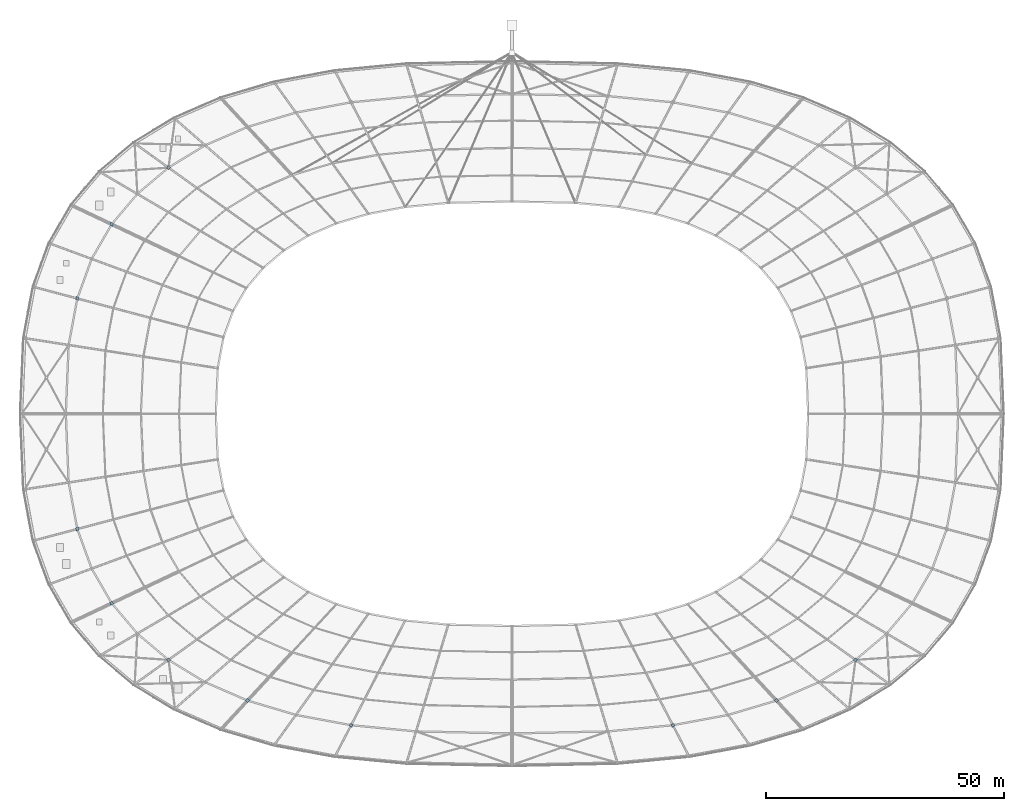
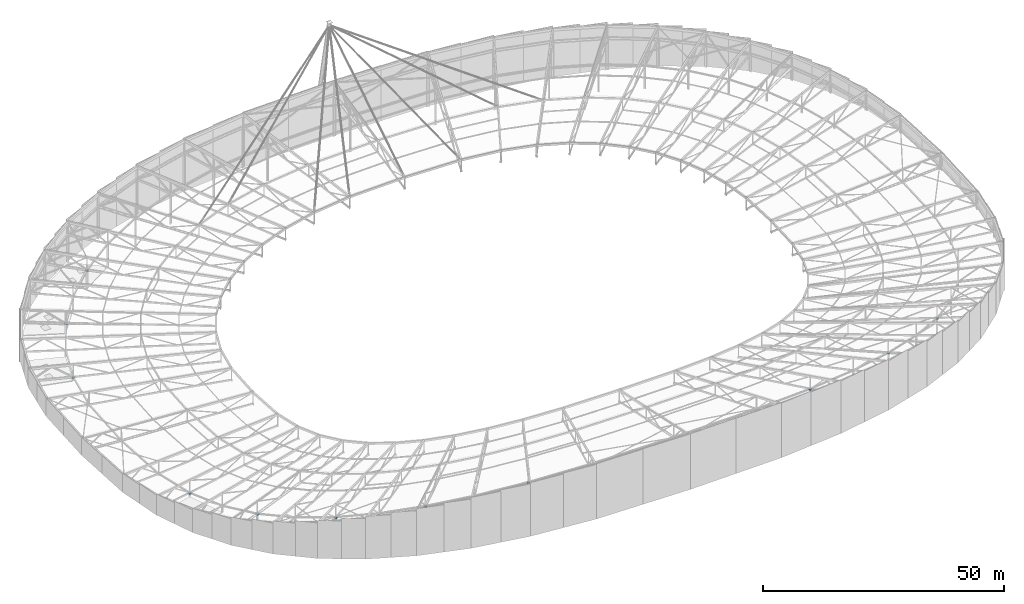
# One storey, part 137 of 143: 11 discrete accessories.
"""IFC4 building model written with IfcOpenShell, lengths in metres."""

from ifc_helpers import new_model, si_unit, direction, frame, origin, origin_2d, place, context, subcontext, project, spatial, rectangle, extrude, material, type_object, element, save


model = new_model("IFC4")

# Units and contexts
model_context = context("Model", 3, precision=1e-05, world=origin(), true_north=direction((0.0, 1.0)))
body_context = subcontext(model_context, "Body", "Model", "MODEL_VIEW")
ifc_project = project(units=[si_unit("LENGTHUNIT", "METRE"), si_unit("AREAUNIT", "SQUARE_METRE"), si_unit("VOLUMEUNIT", "CUBIC_METRE"), si_unit("PLANEANGLEUNIT", "RADIAN"), si_unit("MASSUNIT", "GRAM", prefix="KILO")], contexts=[model_context])

# Site, building, storey
site_placement = place(None, origin())
site = spatial("IfcSite", under=ifc_project, at=site_placement, CompositionType="ELEMENT")
building_placement = place(site_placement, origin())
building = spatial("IfcBuilding", under=site, at=building_placement, Name="Mphavela Belvedere Stadium", CompositionType="ELEMENT")
storey_placement = place(building_placement, frame((0.0, 0.0, 28.800048828125)))
storey = spatial("IfcBuildingStorey", under=building, at=storey_placement, Name="RF", CompositionType="ELEMENT", Elevation=28.800048828125)

# Discrete accessories
ifc_material = material(Name="Steel S355", Category="steel")
discrete_accessory_type = type_object("IfcDiscreteAccessoryType", Name="ACC-TRUSS-SHOE", PredefinedType="SHOE", material=ifc_material)
for number, where, z_axis, x_axis, name in (
    (1, (42.938720703125, 138.631591796875, 4.54150390625), (0.0, 0.0, 1.0), (-0.812897512265, 0.582406760395, 0.0), "Spherical roof truss bearing shoe R3-19"),
    (2, (31.0244140625, 126.748291015625, 2.3564453125), (0.0, 0.0, 1.0), (-0.903858661687, 0.4278311813, 0.0), "Spherical roof truss bearing shoe R3-21"),
    (3, (23.8125, 111.181884765625, 0.7568359375), (0.0, 0.0, 1.0), (-0.966600102017, 0.256289373133, 0.0), "Spherical roof truss bearing shoe R3-23"),
    (4, (23.8125, 62.818115234375, 0.7568359375), (0.0, 0.0, 1.0), (-0.966600102017, -0.256289373133, 0.0), "Spherical roof truss bearing shoe R3-27"),
    (5, (31.0244140625, 47.251708984375, 2.3564453125), (0.0, 0.0, 1.0), (-0.903858661687, -0.4278311813, 0.0), "Spherical roof truss bearing shoe R3-29"),
    (6, (42.938720703125, 35.368408203125, 4.54150390625), (0.0, 0.0, 1.0), (-0.812897512265, -0.582406760395, 0.0), "Spherical roof truss bearing shoe R3-31"),
    (7, (59.523681640625, 26.83203125, 6.72607421875), (0.0, 0.0, 1.0), (-0.677903094969, -0.735151272753, 0.0), "Spherical roof truss bearing shoe R3-33"),
    (8, (81.249755859375, 21.66455078125, 8.32568359375), (0.0, 0.0, 1.0), (-0.458959712465, -0.888457079624, 0.0), "Spherical roof truss bearing shoe R3-35"),
    (9, (148.750244140625, 21.66455078125, 8.32568359375), (0.0, 0.0, 1.0), (0.458959712465, -0.888457079624, 0.0), "Spherical roof truss bearing shoe R3-39"),
    (10, (170.476318359375, 26.83203125, 6.72607421875), (0.0, 0.0, 1.0), (0.677903094969, -0.735151272753, 0.0), "Spherical roof truss bearing shoe R3-41"),
    (11, (187.061279296875, 35.368408203125, 4.54150390625), (0.0, 0.0, 1.0), (0.812897512265, -0.582406760395, 0.0), "Spherical roof truss bearing shoe R3-43"),
):
    element("IfcDiscreteAccessory", number, at=place(storey_placement, frame(where, z_axis=z_axis, x_axis=x_axis)), inside=storey, type_object=discrete_accessory_type, Name=name, PredefinedType="SHOE", context=body_context, shape_type="SweptSolid", body=[
        extrude(rectangle(XDim=0.64990234375, YDim=0.64990234375, at=origin_2d()), origin(), (0.0, 0.0, 1.0), 0.159912109375),
    ])

save(model, "model.ifc")
